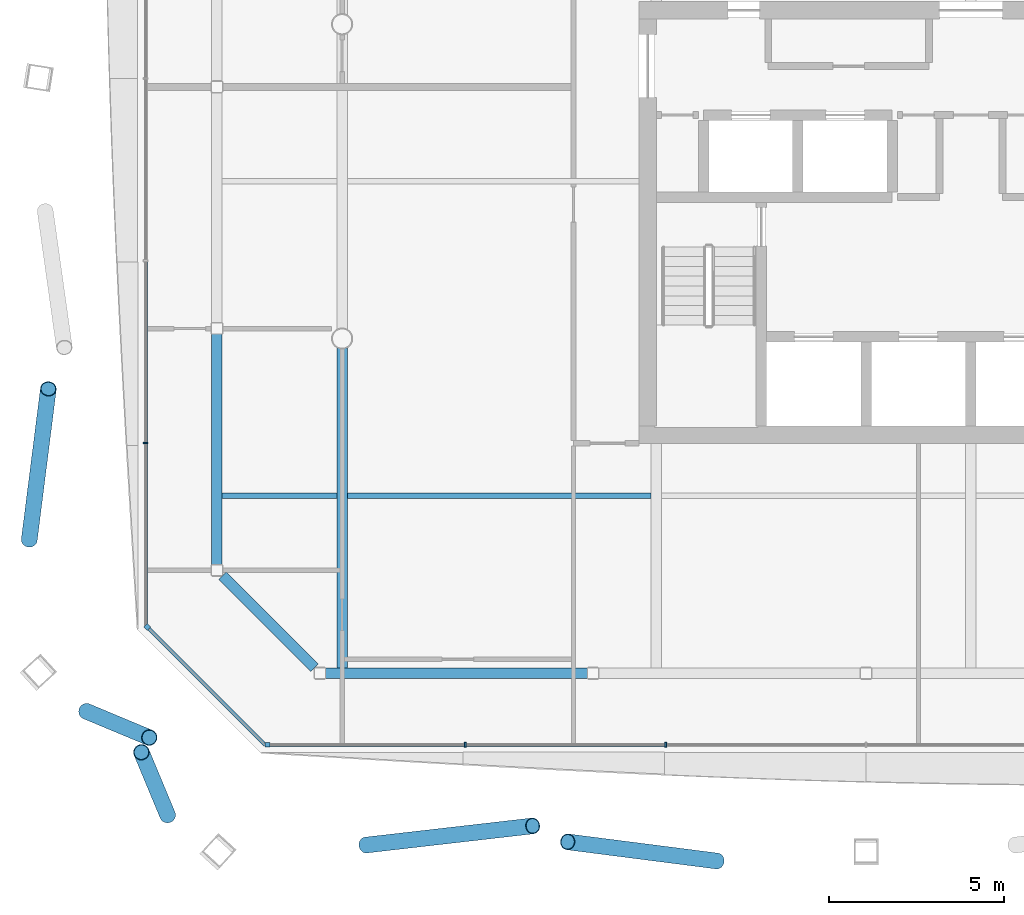
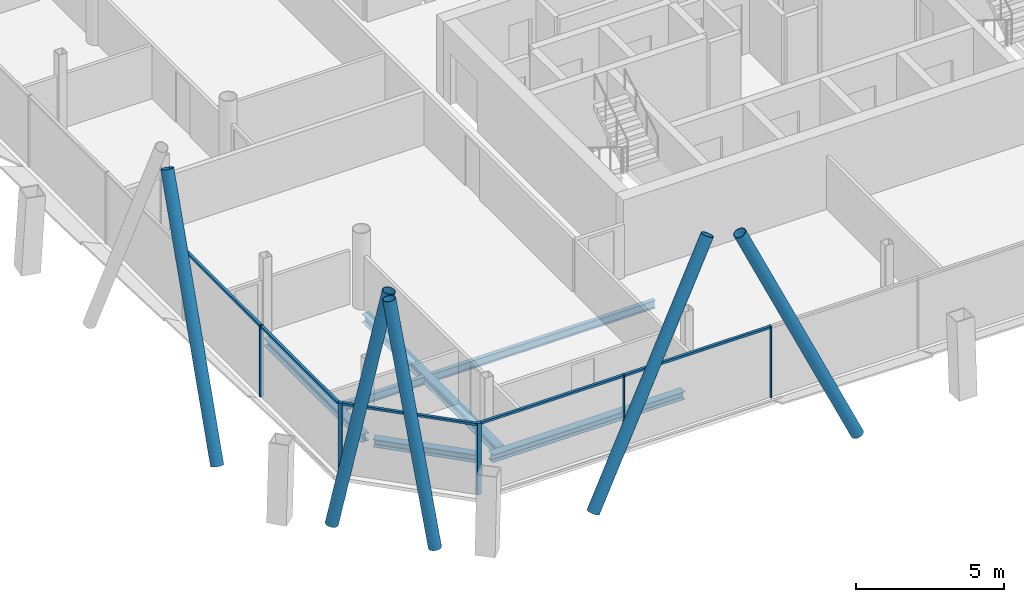
# One storey, part 4 of 20: 15 members, 6 beams, 3 elements without a shape of their own.
"""IFC4 building model written with IfcOpenShell, lengths in metres."""

from ifc_helpers import new_model, si_unit, direction, frame, origin, origin_2d, place, context, subcontext, project, spatial, rectangle, hollow_circle, i_section, extrude, material, material_profile, profile_set, type_object, element, aggregate, save


model = new_model("IFC4")

# Units and contexts
model_context = context("Model", 3, precision=1e-05, world=origin(), true_north=direction((0.0, 1.0)))
body_context = subcontext(model_context, "Body", "Model", "MODEL_VIEW")
ifc_project = project(units=[si_unit("LENGTHUNIT", "METRE"), si_unit("AREAUNIT", "SQUARE_METRE"), si_unit("VOLUMEUNIT", "CUBIC_METRE"), si_unit("PLANEANGLEUNIT", "RADIAN"), si_unit("MASSUNIT", "GRAM", prefix="KILO")], contexts=[model_context])

# Site, building, storey
site_placement = place(None, origin())
site = spatial("IfcSite", under=ifc_project, at=site_placement, CompositionType="ELEMENT")
building_placement = place(site_placement, origin())
building = spatial("IfcBuilding", under=site, at=building_placement, Name="Tskaro Facet Tower", CompositionType="ELEMENT")
storey_placement = place(building_placement, frame((0.0, 0.0, 181.64990234375)))
storey = spatial("IfcBuildingStorey", under=building, at=storey_placement, Name="L45", CompositionType="ELEMENT", Elevation=181.64990234375)

# Members
ifc_material_1 = material(Name="Steel S355J2H", Category="steel")
ifc_material_profile_1 = material_profile(ifc_material_1, hollow_circle(Radius=0.228515625, WallThickness=0.02001953125, at=origin_2d()), Name="CHS 457x20")
ifc_profile_set_1 = profile_set([ifc_material_profile_1], Name="Steel S355J2H")
member_type_1 = type_object("IfcMemberType", Name="CHS 457x20 brace", PredefinedType="BRACE", material=ifc_profile_set_1)
member_1_placement = place(storey_placement, frame((-17.313720703125, -23.499755859375, 0.0), z_axis=(0.450094839236, 0.051681564716, 0.89148396035), x_axis=(-0.114074179763, 0.993472234897, 0.0)))
element("IfcMember", 1, at=member_1_placement, inside=storey, type_object=member_type_1, Name="CHS 457x20 XB01A/4", PredefinedType="BRACE", context=body_context, shape_type="SweptSolid", body=[
    extrude(hollow_circle(Radius=0.228515625, WallThickness=0.02001953125, at=origin_2d()), origin(), (0.0, 0.0, 1.0), 10.6005859375),
])
member_2_placement = place(storey_placement, frame((-7.27099609375, -23.956787109375, 0.0), z_axis=(-0.411266797216, 0.052754241051, 0.909987149117), x_axis=(-0.127230108752, -0.991873227498, 0.0)))
element("IfcMember", 2, at=member_2_placement, inside=storey, type_object=member_type_1, Name="CHS 457x20 XB01B/4", PredefinedType="BRACE", context=body_context, shape_type="SweptSolid", body=[
    extrude(hollow_circle(Radius=0.228515625, WallThickness=0.02001953125, at=origin_2d()), origin(), (0.0, 0.0, 1.0), 10.385009765625),
])
member_3_placement = place(storey_placement, frame((-26.956787109375, -14.761962890625, 0.0), z_axis=(0.052645276845, 0.415414401555, 0.908107565108), x_axis=(-0.99206526087, 0.125723976133, 0.0)))
element("IfcMember", 3, at=member_3_placement, inside=storey, type_object=member_type_1, Name="CHS 457x20 XB11B/4", PredefinedType="BRACE", context=body_context, shape_type="SweptSolid", body=[
    extrude(hollow_circle(Radius=0.228515625, WallThickness=0.02001953125, at=origin_2d()), origin(), (0.0, 0.0, 1.0), 10.406494140625),
])
for number, where, z_axis, x_axis, name in (
    (4, (-25.31640625, -19.67333984375, 0.0), (0.186351834342, -0.077728830292, 0.979403503557), (0.384962378812, 0.922932265608, 0.0), "CHS 457x20 XB12A/4"),
    (5, (-22.99658203125, -22.6396484375, 0.0), (-0.077728830292, 0.186351834342, 0.979403503557), (-0.922932265608, -0.384962378812, 0.0), "CHS 457x20 XB12B/4"),
):
    element("IfcMember", number, at=place(storey_placement, frame(where, z_axis=z_axis, x_axis=x_axis)), inside=storey, type_object=member_type_1, Name=name, PredefinedType="BRACE", context=body_context, shape_type="SweptSolid", body=[
        extrude(hollow_circle(Radius=0.228515625, WallThickness=0.02001953125, at=origin_2d()), origin(), (0.0, 0.0, 1.0), 9.64892578125),
    ])

# Curtain wall, member
ifc_material_2 = material(Name="Bronze anodised aluminium 6063-T6", Category="aluminium")
curtain_wall_type = type_object("IfcCurtainWallType", Name="Bronze residence curtain wall (FW3)", PredefinedType="NOTDEFINED", material=ifc_material_2)
curtain_wall_1_placement = place(storey_placement, origin())
curtain_wall_1 = element("IfcCurtainWall", 6, at=curtain_wall_1_placement, inside=storey, type_object=curtain_wall_type, Name="FW3 south facet L45", PredefinedType="NOTDEFINED")
ifc_material_profile_2 = material_profile(ifc_material_2, rectangle(XDim=0.139892578125, YDim=0.139892578125, at=origin_2d()), Name="Corner post 140x140")
ifc_profile_set_2 = profile_set([ifc_material_profile_2], Name="Bronze anodised aluminium 6063-T6")
member_type_2 = type_object("IfcMemberType", Name="FW3 bronze corner post 140x140", PredefinedType="MULLION", material=ifc_profile_set_2)
member_4_placement = place(storey_placement, frame((-20.138916015625, -20.6279296875, 0.0), z_axis=(0.0, 0.0, 1.0), x_axis=(1.0, 0.0, 0.0)))
member_4 = element("IfcMember", 7, at=member_4_placement, type_object=member_type_2, Name="FW3 south corner post", PredefinedType="MULLION", context=body_context, shape_type="SweptSolid", body=[
    extrude(rectangle(XDim=0.139892578125, YDim=0.139892578125, at=origin_2d()), origin(), (0.0, 0.0, 1.0), 2.9501953125),
])

curtain_wall_2_placement = place(storey_placement, origin())
curtain_wall_2 = element("IfcCurtainWall", 8, at=curtain_wall_2_placement, inside=storey, type_object=curtain_wall_type, Name="FW3 south-west facet L45", PredefinedType="NOTDEFINED")
member_5_placement = place(storey_placement, frame((-23.57861328125, -17.258544921875, 0.0), z_axis=(0.0, 0.0, 1.0), x_axis=(0.707106781187, -0.707106781187, 0.0)))
member_5 = element("IfcMember", 9, at=member_5_placement, type_object=member_type_2, Name="FW3 south-west corner post", PredefinedType="MULLION", context=body_context, shape_type="SweptSolid", body=[
    extrude(rectangle(XDim=0.139892578125, YDim=0.139892578125, at=origin_2d()), origin(), (0.0, 0.0, 1.0), 2.9501953125),
])

# Member
ifc_material_profile_3 = material_profile(ifc_material_2, rectangle(XDim=0.050048828125, YDim=0.139892578125, at=origin_2d()), Name="Mullion 50x140")
ifc_profile_set_3 = profile_set([ifc_material_profile_3], Name="Bronze anodised aluminium 6063-T6")
member_type_3 = type_object("IfcMemberType", Name="FW3 bronze mullion 50x140", PredefinedType="MULLION", material=ifc_profile_set_3)
member_6_placement = place(storey_placement, frame((-14.47265625, -20.6279296875, 0.0), z_axis=(0.0, 0.0, 1.0), x_axis=(1.0, 0.0, 0.0)))
member_6 = element("IfcMember", 10, at=member_6_placement, type_object=member_type_3, Name="FW3 south mullion 1", PredefinedType="MULLION", context=body_context, shape_type="SweptSolid", body=[
    extrude(rectangle(XDim=0.050048828125, YDim=0.139892578125, at=origin_2d()), origin(), (0.0, 0.0, 1.0), 2.9501953125),
])

member_7_placement = place(storey_placement, frame((-8.736328125, -20.6279296875, 0.0), z_axis=(0.0, 0.0, 1.0), x_axis=(1.0, 0.0, 0.0)))
member_7 = element("IfcMember", 11, at=member_7_placement, type_object=member_type_3, Name="FW3 south mullion 2", PredefinedType="MULLION", context=body_context, shape_type="SweptSolid", body=[
    extrude(rectangle(XDim=0.050048828125, YDim=0.139892578125, at=origin_2d()), origin(), (0.0, 0.0, 1.0), 2.9501953125),
])

# Curtain wall, member
curtain_wall_3_placement = place(storey_placement, origin())
curtain_wall_3 = element("IfcCurtainWall", 12, at=curtain_wall_3_placement, inside=storey, type_object=curtain_wall_type, Name="FW3 west facet L45", PredefinedType="NOTDEFINED")
member_8_placement = place(storey_placement, frame((-23.6279296875, -11.99072265625, 0.0), z_axis=(0.0, 0.0, 1.0), x_axis=(0.0, -1.0, 0.0)))
member_8 = element("IfcMember", 13, at=member_8_placement, type_object=member_type_3, Name="FW3 west mullion 5", PredefinedType="MULLION", context=body_context, shape_type="SweptSolid", body=[
    extrude(rectangle(XDim=0.050048828125, YDim=0.139892578125, at=origin_2d()), origin(), (0.0, 0.0, 1.0), 2.9501953125),
])

# Member
ifc_material_profile_4 = material_profile(ifc_material_2, rectangle(XDim=0.10009765625, YDim=0.090087890625, at=origin_2d()), Name="Transom 100x90")
ifc_profile_set_4 = profile_set([ifc_material_profile_4], Name="Bronze anodised aluminium 6063-T6")
member_type_4 = type_object("IfcMemberType", Name="FW3 bronze transom 100x90", PredefinedType="USERDEFINED", material=ifc_profile_set_4)
member_9_placement = place(storey_placement, frame((-20.069091796875, -20.6279296875, 2.905029296875), z_axis=(1.0, 0.0, 0.0), x_axis=(0.0, 1.0, 0.0)))
member_9 = element("IfcMember", 14, at=member_9_placement, type_object=member_type_4, Name="FW3 south transom 1.1", ObjectType="TRANSOM", PredefinedType="USERDEFINED", context=body_context, shape_type="SweptSolid", body=[
    extrude(rectangle(XDim=0.10009765625, YDim=0.090087890625, at=origin_2d()), origin(), (0.0, 0.0, 1.0), 5.571533203125),
])

member_10_placement = place(storey_placement, frame((-14.44775390625, -20.6279296875, 2.905029296875), z_axis=(1.0, 0.0, 0.0), x_axis=(0.0, 1.0, 0.0)))
member_10 = element("IfcMember", 15, at=member_10_placement, type_object=member_type_4, Name="FW3 south transom 2.1", ObjectType="TRANSOM", PredefinedType="USERDEFINED", context=body_context, shape_type="SweptSolid", body=[
    extrude(rectangle(XDim=0.10009765625, YDim=0.090087890625, at=origin_2d()), origin(), (0.0, 0.0, 1.0), 5.6865234375),
])

aggregate(curtain_wall_1, [member_4, member_6, member_7, member_9, member_10])

member_11_placement = place(storey_placement, frame((-23.6279296875, -6.797607421875, 2.905029296875), z_axis=(0.0, -1.0, 0.0), x_axis=(1.0, 0.0, 0.0)))
member_11 = element("IfcMember", 16, at=member_11_placement, type_object=member_type_4, Name="FW3 west transom 5.1", ObjectType="TRANSOM", PredefinedType="USERDEFINED", context=body_context, shape_type="SweptSolid", body=[
    extrude(rectangle(XDim=0.10009765625, YDim=0.090087890625, at=origin_2d()), origin(), (0.0, 0.0, 1.0), 5.168212890625),
])

member_12_placement = place(storey_placement, frame((-23.6279296875, -12.015869140625, 2.905029296875), z_axis=(0.0, -1.0, 0.0), x_axis=(1.0, 0.0, 0.0)))
member_12 = element("IfcMember", 17, at=member_12_placement, type_object=member_type_4, Name="FW3 west transom 6.1", ObjectType="TRANSOM", PredefinedType="USERDEFINED", context=body_context, shape_type="SweptSolid", body=[
    extrude(rectangle(XDim=0.10009765625, YDim=0.090087890625, at=origin_2d()), origin(), (0.0, 0.0, 1.0), 5.193115234375),
])

aggregate(curtain_wall_3, [member_8, member_11, member_12])

member_13_placement = place(storey_placement, frame((-23.529052734375, -17.30810546875, 2.905029296875), z_axis=(0.707132780149, -0.707080781268, 0.0), x_axis=(0.707080781268, 0.707132780149, 0.0)))
member_13 = element("IfcMember", 18, at=member_13_placement, type_object=member_type_4, Name="FW3 south-west transom 1.1", ObjectType="TRANSOM", PredefinedType="USERDEFINED", context=body_context, shape_type="SweptSolid", body=[
    extrude(rectangle(XDim=0.10009765625, YDim=0.090087890625, at=origin_2d()), origin(), (0.0, 0.0, 1.0), 4.695068359375),
])

aggregate(curtain_wall_2, [member_5, member_13])

# Beams
ifc_material_3 = material(Name="Steel S355J2", Category="steel")
ifc_material_profile_5 = material_profile(ifc_material_3, i_section(OverallWidth=0.300048828125, OverallDepth=0.320068359375, WebThickness=0.011474609375, FlangeThickness=0.0205078125, FilletRadius=0.027099609375, at=origin_2d()), Name="HE 320 B")
ifc_profile_set_5 = profile_set([ifc_material_profile_5], Name="Steel S355J2")
beam_type_1 = type_object("IfcBeamType", Name="HE 320 B ring beam", PredefinedType="BEAM", material=ifc_profile_set_5)
beam_1_placement = place(storey_placement, frame((-18.47802734375, -18.5830078125, -0.2998046875), z_axis=(1.0, 0.0, 0.0), x_axis=(0.0, 1.0, 0.0)))
element("IfcBeam", 19, at=beam_1_placement, inside=storey, type_object=beam_type_1, Name="HE 320 B EB1-4", PredefinedType="BEAM", context=body_context, shape_type="SweptSolid", body=[
    extrude(i_section(OverallWidth=0.300048828125, OverallDepth=0.320068359375, WebThickness=0.011474609375, FlangeThickness=0.0205078125, FilletRadius=0.027099609375, at=origin_2d()), origin(), (0.0, 0.0, 1.0), 7.507080078125),
])
beam_2_placement = place(storey_placement, frame((-21.5830078125, -8.867919921875, -0.2998046875), z_axis=(0.0, -1.0, 0.0), x_axis=(1.0, 0.0, 0.0)))
element("IfcBeam", 20, at=beam_2_placement, inside=storey, type_object=beam_type_1, Name="HE 320 B EB20-4", PredefinedType="BEAM", context=body_context, shape_type="SweptSolid", body=[
    extrude(i_section(OverallWidth=0.300048828125, OverallDepth=0.320068359375, WebThickness=0.011474609375, FlangeThickness=0.0205078125, FilletRadius=0.027099609375, at=origin_2d()), origin(), (0.0, 0.0, 1.0), 6.610107421875),
])
beam_3_placement = place(storey_placement, frame((-21.422119140625, -15.7939453125, -0.2998046875), z_axis=(0.707106781187, -0.707106781187, 0.0), x_axis=(0.707106781187, 0.707106781187, 0.0)))
element("IfcBeam", 21, at=beam_3_placement, inside=storey, type_object=beam_type_1, Name="HE 320 B EB21-4", PredefinedType="BEAM", context=body_context, shape_type="SweptSolid", body=[
    extrude(i_section(OverallWidth=0.300048828125, OverallDepth=0.320068359375, WebThickness=0.011474609375, FlangeThickness=0.0205078125, FilletRadius=0.027099609375, at=origin_2d()), origin(), (0.0, 0.0, 1.0), 3.716796875),
])
ifc_material_profile_6 = material_profile(ifc_material_3, i_section(OverallWidth=0.300048828125, OverallDepth=0.35009765625, WebThickness=0.010009765625, FlangeThickness=0.017578125, FilletRadius=0.027099609375, at=origin_2d()), Name="HE 360 A")
ifc_profile_set_6 = profile_set([ifc_material_profile_6], Name="Steel S355J2")
beam_type_2 = type_object("IfcBeamType", Name="HE 360 A girder", PredefinedType="BEAM", material=ifc_profile_set_6)
beam_4_placement = place(storey_placement, frame((-18.0, -18.43310546875, -0.31494140625), z_axis=(0.0, 1.0, 0.0), x_axis=(-1.0, 0.0, 0.0)))
element("IfcBeam", 22, at=beam_4_placement, inside=storey, type_object=beam_type_2, Name="HE 360 A GB2-1-4", PredefinedType="BEAM", context=body_context, shape_type="SweptSolid", body=[
    extrude(i_section(OverallWidth=0.300048828125, OverallDepth=0.35009765625, WebThickness=0.010009765625, FlangeThickness=0.017578125, FilletRadius=0.027099609375, at=origin_2d()), origin(), (0.0, 0.0, 1.0), 9.158203125),
])
ifc_material_profile_7 = material_profile(ifc_material_3, i_section(OverallWidth=0.159912109375, OverallDepth=0.330078125, WebThickness=0.007568359375, FlangeThickness=0.011474609375, FilletRadius=0.01806640625, at=origin_2d()), Name="IPE 330")
ifc_profile_set_7 = profile_set([ifc_material_profile_7], Name="Steel S355J2")
beam_type_3 = type_object("IfcBeamType", Name="IPE 330 secondary beam", PredefinedType="BEAM", material=ifc_profile_set_7)
beam_5_placement = place(storey_placement, frame((-21.43310546875, -13.5, -0.304931640625), z_axis=(1.0, 0.0, 0.0), x_axis=(0.0, 1.0, 0.0)))
element("IfcBeam", 23, at=beam_5_placement, inside=storey, type_object=beam_type_3, Name="IPE 330 SB2a-1-4", PredefinedType="BEAM", context=body_context, shape_type="SweptSolid", body=[
    extrude(i_section(OverallWidth=0.159912109375, OverallDepth=0.330078125, WebThickness=0.007568359375, FlangeThickness=0.011474609375, FilletRadius=0.01806640625, at=origin_2d()), origin(), (0.0, 0.0, 1.0), 3.283203125),
])
beam_6_placement = place(storey_placement, frame((-17.85009765625, -13.5, -0.304931640625), z_axis=(1.0, 0.0, 0.0), x_axis=(0.0, 1.0, 0.0)))
element("IfcBeam", 24, at=beam_6_placement, inside=storey, type_object=beam_type_3, Name="IPE 330 SB2a-2-4", PredefinedType="BEAM", context=body_context, shape_type="SweptSolid", body=[
    extrude(i_section(OverallWidth=0.159912109375, OverallDepth=0.330078125, WebThickness=0.007568359375, FlangeThickness=0.011474609375, FilletRadius=0.01806640625, at=origin_2d()), origin(), (0.0, 0.0, 1.0), 8.7001953125),
])

save(model, "model.ifc")
